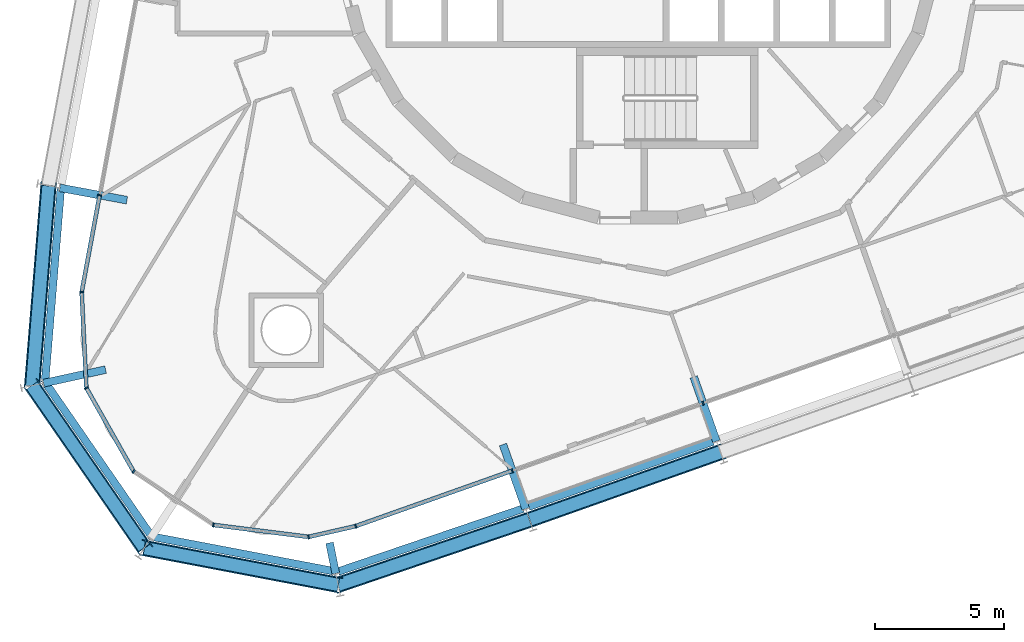
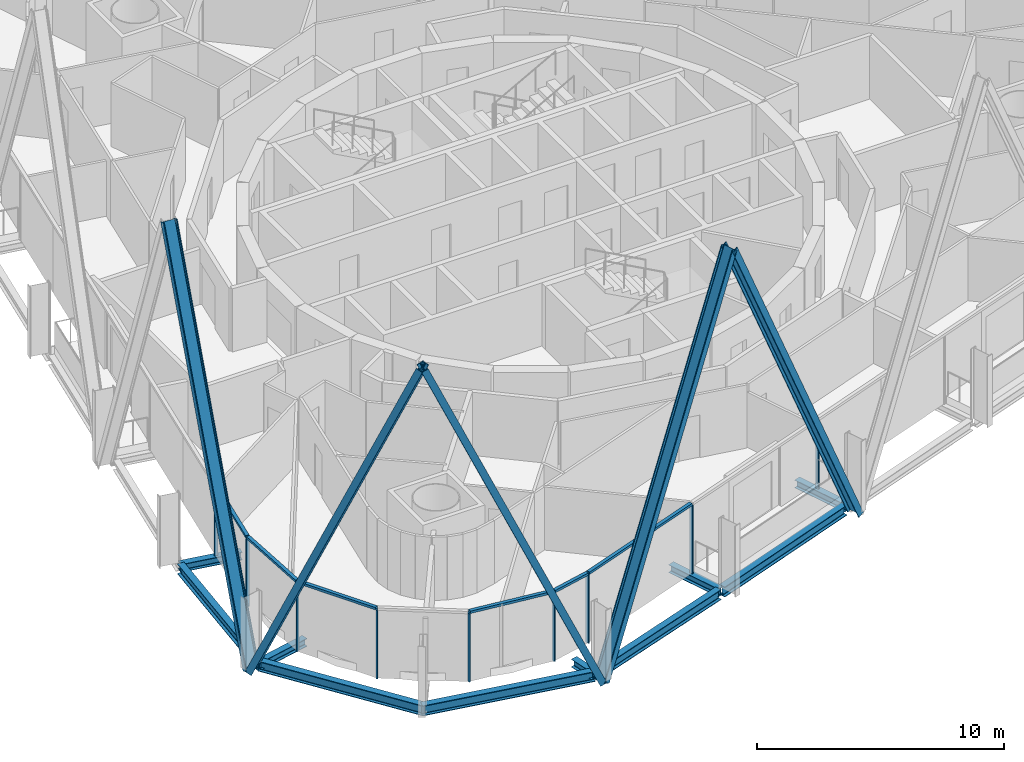
# One storey, part 2 of 17: 20 members, 10 beams, 2 elements without a shape of their own.
"""IFC4 building model written with IfcOpenShell, lengths in metres."""

import ifcopenshell
import ifcopenshell.guid

model = None  # the IFC model being written
_history = None  # IfcOwnerHistory: only IFC2X3 demands one
_inside = {}  # id of a spatial element -> (the spatial element, [elements in it])
_under = {}  # id of a project, library or spatial element -> (it, [spatial elements below it])
_declared = {}  # id of a project -> (the project, [libraries it declares])
_typed = {}  # id of a type object -> (the type object, [elements of that type])
_made_of = {}  # id of a material, layer set ... -> (it, [elements and type objects made of it])


def new_model(schema):
    """Start an empty IFC model of exactly this schema.

    Asked for "IFC4X3", IfcOpenShell would pick the latest addendum, in which some entities
    have other attributes; the version numbers below select the first issue.
    IFC2X3 requires an IfcOwnerHistory on every rooted entity: one is made here for all.
    """
    global model, _history
    if schema == "IFC4X3":
        model = ifcopenshell.file(schema_version=(4, 3, 0, 0))
    else:
        model = ifcopenshell.file(schema=schema)
    _inside.clear()
    _under.clear()
    _declared.clear()
    _typed.clear()
    _made_of.clear()
    _history = None
    if model.schema == "IFC2X3":
        org = make("IfcOrganization", Name="unknown")
        user = make(
            "IfcPersonAndOrganization",
            ThePerson=make("IfcPerson", FamilyName="unknown"),
            TheOrganization=org,
        )
        app = make(
            "IfcApplication",
            ApplicationDeveloper=org,
            Version="unknown",
            ApplicationFullName="unknown",
            ApplicationIdentifier="unknown",
        )
        _history = make(
            "IfcOwnerHistory",
            OwningUser=user,
            OwningApplication=app,
            ChangeAction="ADDED",
            CreationDate=0,
        )
    return model


def make(cls, **values):
    """One entity of the class cls with the attributes given. An attribute that is None is left unset."""
    return model.create_entity(
        cls, **{name: value for name, value in values.items() if value is not None}
    )


def rooted(cls, **values):
    """An entity with a GlobalId (a new one), such as an element, a storey or a relation."""
    return make(cls, GlobalId=ifcopenshell.guid.new(), OwnerHistory=_history, **values)


def si_unit(unit_type, name, prefix=None):
    """IfcSIUnit, for example si_unit("LENGTHUNIT", "METRE", prefix="MILLI")."""
    return make("IfcSIUnit", UnitType=unit_type, Prefix=prefix, Name=name)


def assignment(units):
    """IfcUnitAssignment: the units of a project."""
    return None if units is None else make("IfcUnitAssignment", Units=units)


def point(xyz):
    """IfcCartesianPoint."""
    return None if xyz is None else make("IfcCartesianPoint", Coordinates=xyz)


def direction(xyz):
    """IfcDirection."""
    return None if xyz is None else make("IfcDirection", DirectionRatios=xyz)


def frame(location, z_axis=None, x_axis=None):
    """IfcAxis2Placement3D, a coordinate frame: its origin and axes. An axis left out is left unset."""
    return make(
        "IfcAxis2Placement3D",
        Location=point(location),
        Axis=direction(z_axis),
        RefDirection=direction(x_axis),
    )


def frame_2d(location, x_axis=None):
    """IfcAxis2Placement2D, a coordinate frame in the plane: its origin and x axis."""
    return make(
        "IfcAxis2Placement2D", Location=point(location), RefDirection=direction(x_axis)
    )


def origin():
    """The frame at (0, 0, 0) with its axes left unset."""
    return frame((0.0, 0.0, 0.0))


def origin_2d():
    """The frame at (0, 0) in the plane with its x axis left unset."""
    return frame_2d((0.0, 0.0))


def place(relative_to, where):
    """IfcLocalPlacement: puts the frame where relative to a parent placement (None: the world)."""
    return make(
        "IfcLocalPlacement", PlacementRelTo=relative_to, RelativePlacement=where
    )


def context(
    kind, dimensions, precision=None, world=None, true_north=None, identifier=None
):
    """IfcGeometricRepresentationContext, for example the 3D "Model" context."""
    return make(
        "IfcGeometricRepresentationContext",
        ContextIdentifier=identifier,
        ContextType=kind,
        CoordinateSpaceDimension=dimensions,
        Precision=precision,
        WorldCoordinateSystem=world,
        TrueNorth=true_north,
    )


def subcontext(parent, identifier, kind, view, scale=None):
    """IfcGeometricRepresentationSubContext, for example "Body" below "Model"."""
    return make(
        "IfcGeometricRepresentationSubContext",
        ContextIdentifier=identifier,
        ContextType=kind,
        ParentContext=parent,
        TargetScale=scale,
        TargetView=view,
    )


def project(units=None, contexts=None):
    """IfcProject with its units and contexts."""
    return rooted(
        "IfcProject",
        Name="project",
        RepresentationContexts=contexts,
        UnitsInContext=assignment(units),
    )


def spatial(cls, under=None, at=None, **own):
    """A site, building, storey or space (cls), placed at a placement, below another one or the project."""
    s = rooted(cls, ObjectPlacement=at, **own)
    if under is not None:
        _under.setdefault(under.id(), (under, []))[1].append(s)
    return s


def profile(cls, at=None, kind="AREA", **sizes):
    """A parametric profile (cls). Its sizes go by their IFC names, for example OverallWidth=200.0."""
    return make(cls, ProfileType=kind, Position=at, **sizes)


def rectangle(**sizes):
    """IfcRectangleProfileDef."""
    return profile("IfcRectangleProfileDef", **sizes)


def i_section(**sizes):
    """IfcIShapeProfileDef."""
    return profile("IfcIShapeProfileDef", **sizes)


def extrude(swept, where, along, depth):
    """IfcExtrudedAreaSolid: the profile swept, set in the frame where, extruded along a direction by depth."""
    return make(
        "IfcExtrudedAreaSolid",
        SweptArea=swept,
        Position=where,
        ExtrudedDirection=direction(along),
        Depth=depth,
    )


def shape(context_of_items, identifier, shape_type, items):
    """IfcShapeRepresentation: the items that make up one representation, for example the "Body"."""
    return make(
        "IfcShapeRepresentation",
        ContextOfItems=context_of_items,
        RepresentationIdentifier=identifier,
        RepresentationType=shape_type,
        Items=items,
    )


def material(Name=None, Category=None):
    """IfcMaterial."""
    return make("IfcMaterial", Name=Name, Category=Category)


def layer(
    of_material, thickness, ventilated=None, Name=None, Category=None, Priority=None
):
    """IfcMaterialLayer: one layer of a wall or slab, of a material (None: an air gap)."""
    return make(
        "IfcMaterialLayer",
        Material=of_material,
        LayerThickness=thickness,
        IsVentilated=ventilated,
        Name=Name,
        Category=Category,
        Priority=Priority,
    )


def layer_set(layers, Name=None):
    """IfcMaterialLayerSet."""
    return make("IfcMaterialLayerSet", MaterialLayers=layers, LayerSetName=Name)


def material_profile(
    of_material, cross_section, Name=None, Category=None, Priority=None
):
    """IfcMaterialProfile: a cross section and its material."""
    return make(
        "IfcMaterialProfile",
        Name=Name,
        Material=of_material,
        Profile=cross_section,
        Priority=Priority,
        Category=Category,
    )


def profile_set(profiles, Name=None, composite=None):
    """IfcMaterialProfileSet."""
    return make(
        "IfcMaterialProfileSet",
        Name=Name,
        MaterialProfiles=profiles,
        CompositeProfile=composite,
    )


def made_of(thing, what):
    """Note that an element or type object is made of a material, layer set ...; save() writes the relation."""
    if what is not None:
        _made_of.setdefault(what.id(), (what, []))[1].append(thing)
    return thing


def type_object(cls, material=None, **own):
    """A type object (cls), such as IfcWallType, which elements share."""
    return made_of(rooted(cls, **own), material)


def element(
    cls,
    number,
    at=None,
    inside=None,
    cuts=None,
    type_object=None,
    material=None,
    context=None,
    identifier="Body",
    shape_type=None,
    held_by="IfcProductDefinitionShape",
    body=None,
    shapes=None,
    **own,
):
    """One element of the class cls, such as IfcWall. Its Tag is "e" and its number.

    at: its placement. inside: the storey or other place that contains it. cuts: it is an
    opening in that element (IfcRelVoidsElement). A single representation is given by context,
    identifier, shape_type and body (its items); several are given by shapes. held_by: the class
    of the entity that holds the representations. save() writes the other relations.
    """
    e = rooted(cls, Tag="e%d" % number, ObjectPlacement=at, **own)
    if body is not None:
        shapes = [shape(context, identifier, shape_type, body)]
    if shapes is not None:
        e.Representation = make(held_by, Representations=shapes)
    if inside is not None:
        _inside.setdefault(inside.id(), (inside, []))[1].append(e)
    if cuts is not None:
        rooted(
            "IfcRelVoidsElement", RelatingBuildingElement=cuts, RelatedOpeningElement=e
        )
    if type_object is not None:
        _typed.setdefault(type_object.id(), (type_object, []))[1].append(e)
    return made_of(e, material)


def aggregate(whole, parts):
    """IfcRelAggregates: a whole, such as a stair, and the parts it consists of."""
    return rooted("IfcRelAggregates", RelatingObject=whole, RelatedObjects=parts)


def save(model, path):
    """Write the relations noted so far, then the file.

    IfcRelAggregates (storeys below a building ...), IfcRelContainedInSpatialStructure (elements
    in a storey), IfcRelDefinesByType, IfcRelAssociatesMaterial and IfcRelDeclares: one each for
    every whole, place, type object, material and project.
    """
    for whole, parts in _under.values():
        aggregate(whole, parts)
    for where, things in _inside.values():
        rooted(
            "IfcRelContainedInSpatialStructure",
            RelatedElements=things,
            RelatingStructure=where,
        )
    for kind, things in _typed.values():
        rooted("IfcRelDefinesByType", RelatedObjects=things, RelatingType=kind)
    for what, things in _made_of.values():
        rooted("IfcRelAssociatesMaterial", RelatedObjects=things, RelatingMaterial=what)
    for by, libraries in _declared.values():
        rooted("IfcRelDeclares", RelatingContext=by, RelatedDefinitions=libraries)
    model.write(path)


model = new_model("IFC4")

# Units and contexts
model_context = context("Model", 3, precision=1e-05, world=origin(), true_north=direction((0.0, 1.0)))
body_context = subcontext(model_context, "Body", "Model", "MODEL_VIEW")
ifc_project = project(units=[si_unit("LENGTHUNIT", "METRE"), si_unit("AREAUNIT", "SQUARE_METRE"), si_unit("VOLUMEUNIT", "CUBIC_METRE"), si_unit("PLANEANGLEUNIT", "RADIAN"), si_unit("MASSUNIT", "GRAM", prefix="KILO")], contexts=[model_context])

# Site, building, storey
site_placement = place(None, origin())
site = spatial("IfcSite", under=ifc_project, at=site_placement, CompositionType="ELEMENT")
building_placement = place(site_placement, origin())
building = spatial("IfcBuilding", under=site, at=building_placement, Name="Spindle Arch Residences", CompositionType="ELEMENT")
storey_placement = place(building_placement, frame((0.0, 0.0, 165.699951171875)))
storey = spatial("IfcBuildingStorey", under=building, at=storey_placement, Name="L41", CompositionType="ELEMENT", Elevation=165.699951171875)

# Curtain wall, members
ifc_material_1 = material(Name="Aluminium bronze unitised frame with tinted glass", Category="aluminium")
ifc_layer_1 = layer(ifc_material_1, 0.159912109375)
ifc_layer_set_1 = layer_set([ifc_layer_1], Name="CW-D corner wall on the fillet arcs")
curtain_wall_type_1 = type_object("IfcCurtainWallType", Name="CW-D corner wall on the fillet arcs", PredefinedType="NOTDEFINED", material=ifc_layer_set_1)
curtain_wall_1_placement = place(storey_placement, origin())
curtain_wall_1 = element("IfcCurtainWall", 1, at=curtain_wall_1_placement, inside=storey, type_object=curtain_wall_type_1, Name="CW-D L41 run 5", PredefinedType="NOTDEFINED")
ifc_material_2 = material(Name="Aluminium bronze anodised mullion", Category="aluminium")
ifc_material_profile_1 = material_profile(ifc_material_2, rectangle(XDim=0.159912109375, YDim=0.06005859375, at=origin_2d()), Name="MU 60x160")
ifc_profile_set_1 = profile_set([ifc_material_profile_1], Name="Aluminium bronze anodised mullion")
member_type_1 = type_object("IfcMemberType", Name="Bronze mullion 60x160", PredefinedType="MULLION", material=ifc_profile_set_1)
member_1_placement = place(storey_placement, frame((-20.92724609375, -10.77685546875, -0.3798828125), z_axis=(0.0, 0.0, 1.0), x_axis=(0.983254907564, -0.182235525492, 0.0)))
member_1 = element("IfcMember", 2, at=member_1_placement, type_object=member_type_1, Name="CW-D mullion 00", PredefinedType="MULLION", context=body_context, shape_type="SweptSolid", body=[
    extrude(rectangle(XDim=0.159912109375, YDim=0.06005859375, at=origin_2d()), origin(), (0.0, 0.0, 1.0), 3.3798828125),
])
member_2_placement = place(storey_placement, frame((-21.6259765625, -14.546142578125, -0.3798828125), z_axis=(0.0, 0.0, 1.0), x_axis=(0.99877754864, 0.049430843939, 0.0)))
member_2 = element("IfcMember", 3, at=member_2_placement, type_object=member_type_1, Name="CW-D mullion 01", PredefinedType="MULLION", context=body_context, shape_type="SweptSolid", body=[
    extrude(rectangle(XDim=0.159912109375, YDim=0.06005859375, at=origin_2d()), origin(), (0.0, 0.0, 1.0), 3.3798828125),
])
member_3_placement = place(storey_placement, frame((-21.441650390625, -18.268310546875, -0.3798828125), z_axis=(0.0, 0.0, 1.0), x_axis=(0.870355694762, 0.492423562185, 0.0)))
member_3 = element("IfcMember", 4, at=member_3_placement, type_object=member_type_1, Name="CW-D mullion 02", PredefinedType="MULLION", context=body_context, shape_type="SweptSolid", body=[
    extrude(rectangle(XDim=0.159912109375, YDim=0.06005859375, at=origin_2d()), origin(), (0.0, 0.0, 1.0), 3.3798828125),
])
member_4_placement = place(storey_placement, frame((-19.6064453125, -21.511962890625, -0.3798828125), z_axis=(0.0, 0.0, 1.0), x_axis=(0.556778968928, 0.830660688705, 0.0)))
member_4 = element("IfcMember", 5, at=member_4_placement, type_object=member_type_1, Name="CW-D mullion 03", PredefinedType="MULLION", context=body_context, shape_type="SweptSolid", body=[
    extrude(rectangle(XDim=0.159912109375, YDim=0.06005859375, at=origin_2d()), origin(), (0.0, 0.0, 1.0), 3.3798828125),
])
member_5_placement = place(storey_placement, frame((-16.510986328125, -23.5869140625, -0.3798828125), z_axis=(0.0, 0.0, 1.0), x_axis=(0.12475602349, 0.992187449327, 0.0)))
member_5 = element("IfcMember", 6, at=member_5_placement, type_object=member_type_1, Name="CW-D mullion 04", PredefinedType="MULLION", context=body_context, shape_type="SweptSolid", body=[
    extrude(rectangle(XDim=0.159912109375, YDim=0.06005859375, at=origin_2d()), origin(), (0.0, 0.0, 1.0), 3.3798828125),
])
member_6_placement = place(storey_placement, frame((-12.813232421875, -24.0517578125, -0.3798828125), z_axis=(0.0, 0.0, 1.0), x_axis=(-0.222115779565, 0.975020297465, 0.0)))
member_6 = element("IfcMember", 7, at=member_6_placement, type_object=member_type_1, Name="CW-D mullion 05", PredefinedType="MULLION", context=body_context, shape_type="SweptSolid", body=[
    extrude(rectangle(XDim=0.159912109375, YDim=0.06005859375, at=origin_2d()), origin(), (0.0, 0.0, 1.0), 3.3798828125),
])
member_7_placement = place(storey_placement, frame((-10.984130859375, -23.63525390625, -0.3798828125), z_axis=(0.0, 0.0, 1.0), x_axis=(-0.333806859234, 0.942641491092, 0.0)))
member_7 = element("IfcMember", 8, at=member_7_placement, type_object=member_type_1, Name="CW-D mullion 06", PredefinedType="MULLION", context=body_context, shape_type="SweptSolid", body=[
    extrude(rectangle(XDim=0.159912109375, YDim=0.06005859375, at=origin_2d()), origin(), (0.0, 0.0, 1.0), 3.3798828125),
])

ifc_material_3 = material(Name="Aluminium bronze unitised frame with tinted glass", Category="aluminium")
ifc_layer_2 = layer(ifc_material_3, 0.159912109375)
ifc_layer_set_2 = layer_set([ifc_layer_2], Name="CW-C typical residential unitised wall")
curtain_wall_type_2 = type_object("IfcCurtainWallType", Name="CW-C typical residential unitised wall", PredefinedType="NOTDEFINED", material=ifc_layer_set_2)
curtain_wall_2_placement = place(storey_placement, origin())
curtain_wall_2 = element("IfcCurtainWall", 9, at=curtain_wall_2_placement, inside=storey, type_object=curtain_wall_type_2, Name="CW-C L41 run 6", PredefinedType="NOTDEFINED")
member_8_placement = place(storey_placement, frame((-4.900634765625, -21.48095703125, -0.3798828125), z_axis=(0.0, 0.0, 1.0), x_axis=(-0.333806859234, 0.942641491092, 0.0)))
member_8 = element("IfcMember", 10, at=member_8_placement, type_object=member_type_1, Name="CW-C mullion 20", PredefinedType="MULLION", context=body_context, shape_type="SweptSolid", body=[
    extrude(rectangle(XDim=0.159912109375, YDim=0.06005859375, at=origin_2d()), origin(), (0.0, 0.0, 1.0), 3.3798828125),
])
member_9_placement = place(storey_placement, frame((2.508544921875, -18.857177734375, -0.3798828125), z_axis=(0.0, 0.0, 1.0), x_axis=(-0.333806859234, 0.942641491092, 0.0)))
member_9 = element("IfcMember", 11, at=member_9_placement, type_object=member_type_1, Name="CW-C mullion 21", PredefinedType="MULLION", context=body_context, shape_type="SweptSolid", body=[
    extrude(rectangle(XDim=0.159912109375, YDim=0.06005859375, at=origin_2d()), origin(), (0.0, 0.0, 1.0), 3.3798828125),
])
aggregate(curtain_wall_2, [member_8, member_9])

# Member
ifc_material_4 = material(Name="Aluminium bronze anodised transom", Category="aluminium")
ifc_material_profile_2 = material_profile(ifc_material_4, rectangle(XDim=0.159912109375, YDim=0.1201171875, at=origin_2d()), Name="TR 120x160")
ifc_profile_set_2 = profile_set([ifc_material_profile_2], Name="Aluminium bronze anodised transom")
member_type_2 = type_object("IfcMemberType", Name="Bronze transom 120x160", PredefinedType="USERDEFINED", material=ifc_profile_set_2)
member_10_placement = place(storey_placement, frame((-20.932861328125, -10.806396484375, 3.06005859375), z_axis=(-0.182198152475, -0.983261833509, 0.0), x_axis=(0.983261833509, -0.182198152475, 0.0)))
member_10 = element("IfcMember", 12, at=member_10_placement, type_object=member_type_2, Name="CW-D transom 00", ObjectType="TRANSOM", PredefinedType="USERDEFINED", context=body_context, shape_type="SweptSolid", body=[
    extrude(rectangle(XDim=0.159912109375, YDim=0.1201171875, at=origin_2d()), origin(), (0.0, 0.0, 1.0), 3.7734375),
])

member_11_placement = place(storey_placement, frame((-21.62451171875, -14.576171875, 3.06005859375), z_axis=(0.049472678643, -0.998775477306, 0.0), x_axis=(0.998775477306, 0.049472678643, 0.0)))
member_11 = element("IfcMember", 13, at=member_11_placement, type_object=member_type_2, Name="CW-D transom 01", ObjectType="TRANSOM", PredefinedType="USERDEFINED", context=body_context, shape_type="SweptSolid", body=[
    extrude(rectangle(XDim=0.159912109375, YDim=0.1201171875, at=origin_2d()), origin(), (0.0, 0.0, 1.0), 3.66650390625),
])

member_12_placement = place(storey_placement, frame((-21.427001953125, -18.29443359375, 3.06005859375), z_axis=(0.49243456751, -0.870349468157, 0.0), x_axis=(0.870349468157, 0.49243456751, 0.0)))
member_12 = element("IfcMember", 14, at=member_12_placement, type_object=member_type_2, Name="CW-D transom 02", ObjectType="TRANSOM", PredefinedType="USERDEFINED", context=body_context, shape_type="SweptSolid", body=[
    extrude(rectangle(XDim=0.159912109375, YDim=0.1201171875, at=origin_2d()), origin(), (0.0, 0.0, 1.0), 3.666748046875),
])

member_13_placement = place(storey_placement, frame((-16.481201171875, -23.590576171875, 3.06005859375), z_axis=(0.992185413992, -0.12477220949, 0.0), x_axis=(0.12477220949, 0.992185413992, 0.0)))
member_13 = element("IfcMember", 15, at=member_13_placement, type_object=member_type_2, Name="CW-D transom 04", ObjectType="TRANSOM", PredefinedType="USERDEFINED", context=body_context, shape_type="SweptSolid", body=[
    extrude(rectangle(XDim=0.159912109375, YDim=0.1201171875, at=origin_2d()), origin(), (0.0, 0.0, 1.0), 3.666748046875),
])

member_14_placement = place(storey_placement, frame((-12.783935546875, -24.045166015625, 3.06005859375), z_axis=(0.975028425033, 0.222080099015, 0.0), x_axis=(-0.222080099015, 0.975028425033, 0.0)))
member_14 = element("IfcMember", 16, at=member_14_placement, type_object=member_type_2, Name="CW-D transom 05", ObjectType="TRANSOM", PredefinedType="USERDEFINED", context=body_context, shape_type="SweptSolid", body=[
    extrude(rectangle(XDim=0.159912109375, YDim=0.1201171875, at=origin_2d()), origin(), (0.0, 0.0, 1.0), 1.816162109375),
])

member_15_placement = place(storey_placement, frame((-10.955810546875, -23.625244140625, 3.06005859375), z_axis=(0.942638740525, 0.333814626495, 0.0), x_axis=(-0.333814626495, 0.942638740525, 0.0)))
member_15 = element("IfcMember", 17, at=member_15_placement, type_object=member_type_2, Name="CW-D transom 06", ObjectType="TRANSOM", PredefinedType="USERDEFINED", context=body_context, shape_type="SweptSolid", body=[
    extrude(rectangle(XDim=0.159912109375, YDim=0.1201171875, at=origin_2d()), origin(), (0.0, 0.0, 1.0), 6.3935546875),
])

aggregate(curtain_wall_1, [member_1, member_10, member_2, member_11, member_3, member_12, member_4, member_5, member_13, member_6, member_14, member_7, member_15])

# Members
ifc_material_5 = material(Name="Steel S460ML, intumescent coating R 240", Category="steel")
ifc_material_profile_3 = material_profile(ifc_material_5, i_section(OverallWidth=0.304931640625, OverallDepth=0.6201171875, WebThickness=0.02099609375, FlangeThickness=0.0400390625, FilletRadius=0.027099609375, at=origin_2d()), Name="HEM 600")
ifc_profile_set_3 = profile_set([ifc_material_profile_3], Name="Steel S460ML, intumescent coating R 240")
member_type_3 = type_object("IfcMemberType", Name="Diagrid diagonal HEM 600", PredefinedType="BRACE", material=ifc_profile_set_3)
member_16_placement = place(storey_placement, frame((-23.5478515625, -18.177490234375, -0.6298828125), z_axis=(0.033470689003, 0.409957965656, 0.911490087369), x_axis=(-0.074171083175, -0.908467297041, 0.411322040046)))
element("IfcMember", 18, at=member_16_placement, inside=storey, type_object=member_type_3, Name="Diagrid diagonal 4.2.17", PredefinedType="BRACE", context=body_context, shape_type="SweptSolid", body=[
    extrude(i_section(OverallWidth=0.304931640625, OverallDepth=0.6201171875, WebThickness=0.02099609375, FlangeThickness=0.0400390625, FilletRadius=0.027099609375, at=origin_2d()), origin(), (0.0, 0.0, 1.0), 18.9501953125),
])
member_17_placement = place(storey_placement, frame((-23.5478515625, -18.177490234375, -0.6298828125), z_axis=(0.230502220398, -0.3336668541, 0.914076122031), x_axis=(-0.519542332612, 0.752071088057, 0.405542652668)))
element("IfcMember", 19, at=member_17_placement, inside=storey, type_object=member_type_3, Name="Diagrid diagonal 4.2.18", PredefinedType="BRACE", context=body_context, shape_type="SweptSolid", body=[
    extrude(i_section(OverallWidth=0.304931640625, OverallDepth=0.6201171875, WebThickness=0.02099609375, FlangeThickness=0.0400390625, FilletRadius=0.027099609375, at=origin_2d()), origin(), (0.0, 0.0, 1.0), 18.896728515625),
])
member_18_placement = place(storey_placement, frame((-11.6640625, -25.9150390625, -0.6298828125), z_axis=(-0.398384300907, 0.075800898117, 0.914081053646), x_axis=(0.897970955292, -0.170857648604, 0.405531536831)))
element("IfcMember", 20, at=member_18_placement, inside=storey, type_object=member_type_3, Name="Diagrid diagonal 4.2.19", PredefinedType="BRACE", context=body_context, shape_type="SweptSolid", body=[
    extrude(i_section(OverallWidth=0.304931640625, OverallDepth=0.6201171875, WebThickness=0.02099609375, FlangeThickness=0.0400390625, FilletRadius=0.027099609375, at=origin_2d()), origin(), (0.0, 0.0, 1.0), 18.896484375),
])
member_19_placement = place(storey_placement, frame((-11.6640625, -25.9150390625, -0.6298828125), z_axis=(0.391962239764, 0.133330204847, 0.910268454399), x_axis=(-0.861775110701, -0.293142145813, 0.414018527273)))
element("IfcMember", 21, at=member_19_placement, inside=storey, type_object=member_type_3, Name="Diagrid diagonal 4.2.20", PredefinedType="BRACE", context=body_context, shape_type="SweptSolid", body=[
    extrude(i_section(OverallWidth=0.304931640625, OverallDepth=0.6201171875, WebThickness=0.02099609375, FlangeThickness=0.0400390625, FilletRadius=0.027099609375, at=origin_2d()), origin(), (0.0, 0.0, 1.0), 18.9755859375),
])
member_20_placement = place(storey_placement, frame((3.182861328125, -20.76123046875, -0.6298828125), z_axis=(-0.390424893575, -0.138259401979, 0.910193792685), x_axis=(0.857984569665, 0.30383419567, 0.41418264058)))
element("IfcMember", 22, at=member_20_placement, inside=storey, type_object=member_type_3, Name="Diagrid diagonal 4.2.21", PredefinedType="BRACE", context=body_context, shape_type="SweptSolid", body=[
    extrude(i_section(OverallWidth=0.304931640625, OverallDepth=0.6201171875, WebThickness=0.02099609375, FlangeThickness=0.0400390625, FilletRadius=0.027099609375, at=origin_2d()), origin(), (0.0, 0.0, 1.0), 18.977294921875),
])

# Beams
ifc_material_6 = material(Name="Steel S460ML, intumescent coating R 120", Category="steel")
ifc_material_profile_4 = material_profile(ifc_material_6, i_section(OverallWidth=0.300048828125, OverallDepth=0.5, WebThickness=0.014404296875, FlangeThickness=0.028076171875, FilletRadius=0.027099609375, at=origin_2d()), Name="HEB 500")
ifc_profile_set_4 = profile_set([ifc_material_profile_4], Name="Steel S460ML, intumescent coating R 120")
beam_type_1 = type_object("IfcBeamType", Name="Exoskeleton edge beam HEB 500", PredefinedType="BEAM", material=ifc_profile_set_4)
beam_1_placement = place(storey_placement, frame((-22.43408203125, -10.530517578125, -0.6298828125), z_axis=(-0.081396168561, -0.996681826735, 0.0), x_axis=(0.996681826735, -0.081396168561, 0.0)))
element("IfcBeam", 23, at=beam_1_placement, inside=storey, type_object=beam_type_1, Name="Exoskeleton edge beam 17", PredefinedType="BEAM", context=body_context, shape_type="SweptSolid", body=[
    extrude(i_section(OverallWidth=0.300048828125, OverallDepth=0.5, WebThickness=0.014404296875, FlangeThickness=0.028076171875, FilletRadius=0.027099609375, at=origin_2d()), origin(), (0.0, 0.0, 1.0), 7.534423828125),
])
for number, where, z_axis, x_axis, name in (
    (24, (-23.07080078125, -18.006103515625, -0.6298828125), (0.568398589538, -0.822753330842, 0.0), (0.822753330842, 0.568398589538, 0.0), "Exoskeleton edge beam 18"),
    (25, (-18.972900390625, -24.025390625, -0.6298828125), (0.982369437961, -0.186949959509, 0.0), (0.186949959509, 0.982369437961, 0.0), "Exoskeleton edge beam 19"),
):
    element("IfcBeam", number, at=place(storey_placement, frame(where, z_axis=z_axis, x_axis=x_axis)), inside=storey, type_object=beam_type_1, Name=name, PredefinedType="BEAM", context=body_context, shape_type="SweptSolid", body=[
        extrude(i_section(OverallWidth=0.300048828125, OverallDepth=0.5, WebThickness=0.014404296875, FlangeThickness=0.028076171875, FilletRadius=0.027099609375, at=origin_2d()), origin(), (0.0, 0.0, 1.0), 7.4033203125),
    ])
beam_2_placement = place(storey_placement, frame((-11.672119140625, -25.401123046875, -0.6298828125), z_axis=(0.94672748231, 0.322035827571, 0.0), x_axis=(-0.322035827571, 0.94672748231, 0.0)))
element("IfcBeam", 26, at=beam_2_placement, inside=storey, type_object=beam_type_1, Name="Exoskeleton edge beam 20", PredefinedType="BEAM", context=body_context, shape_type="SweptSolid", body=[
    extrude(i_section(OverallWidth=0.300048828125, OverallDepth=0.5, WebThickness=0.014404296875, FlangeThickness=0.028076171875, FilletRadius=0.027099609375, at=origin_2d()), origin(), (0.0, 0.0, 1.0), 7.596435546875),
])
beam_3_placement = place(storey_placement, frame((-4.267333984375, -22.8798828125, -0.6298828125), z_axis=(0.942633964352, 0.33382811333, 0.0), x_axis=(-0.33382811333, 0.942633964352, 0.0)))
element("IfcBeam", 27, at=beam_3_placement, inside=storey, type_object=beam_type_1, Name="Exoskeleton edge beam 21", PredefinedType="BEAM", context=body_context, shape_type="SweptSolid", body=[
    extrude(i_section(OverallWidth=0.300048828125, OverallDepth=0.5, WebThickness=0.014404296875, FlangeThickness=0.028076171875, FilletRadius=0.027099609375, at=origin_2d()), origin(), (0.0, 0.0, 1.0), 7.60009765625),
])
ifc_material_7 = material(Name="Steel S460ML, intumescent coating R 120", Category="steel")
ifc_material_profile_5 = material_profile(ifc_material_7, i_section(OverallWidth=0.300048828125, OverallDepth=0.389892578125, WebThickness=0.010986328125, FlangeThickness=0.01904296875, FilletRadius=0.027099609375, at=origin_2d()), Name="HEA 400")
ifc_profile_set_5 = profile_set([ifc_material_profile_5], Name="Steel S460ML, intumescent coating R 120")
beam_type_2 = type_object("IfcBeamType", Name="Floor outrigger HEA 400", PredefinedType="BEAM", material=ifc_profile_set_5)
beam_4_placement = place(storey_placement, frame((-22.470947265625, -10.49072265625, -0.574951171875), z_axis=(0.983253888741, -0.182241022482, 0.0), x_axis=(0.182241022482, 0.983253888741, 0.0)))
element("IfcBeam", 28, at=beam_4_placement, inside=storey, type_object=beam_type_2, Name="Floor outrigger 17", PredefinedType="BEAM", context=body_context, shape_type="SweptSolid", body=[
    extrude(i_section(OverallWidth=0.300048828125, OverallDepth=0.389892578125, WebThickness=0.010986328125, FlangeThickness=0.01904296875, FilletRadius=0.027099609375, at=origin_2d()), origin(), (0.0, 0.0, 1.0), 2.64990234375),
])
beam_5_placement = place(storey_placement, frame((-23.108154296875, -18.081298828125, -0.574951171875), z_axis=(0.976889051541, 0.21374700227, 0.0), x_axis=(-0.21374700227, 0.976889051541, 0.0)))
element("IfcBeam", 29, at=beam_5_placement, inside=storey, type_object=beam_type_2, Name="Floor outrigger 18", PredefinedType="BEAM", context=body_context, shape_type="SweptSolid", body=[
    extrude(i_section(OverallWidth=0.300048828125, OverallDepth=0.389892578125, WebThickness=0.010986328125, FlangeThickness=0.01904296875, FilletRadius=0.027099609375, at=origin_2d()), origin(), (0.0, 0.0, 1.0), 2.469482421875),
])
beam_6_placement = place(storey_placement, frame((-11.75390625, -25.47412109375, -0.574951171875), z_axis=(-0.199668771983, 0.979863450433, 0.0), x_axis=(-0.979863450433, -0.199668771983, 0.0)))
element("IfcBeam", 30, at=beam_6_placement, inside=storey, type_object=beam_type_2, Name="Floor outrigger 20", PredefinedType="BEAM", context=body_context, shape_type="SweptSolid", body=[
    extrude(i_section(OverallWidth=0.300048828125, OverallDepth=0.389892578125, WebThickness=0.010986328125, FlangeThickness=0.01904296875, FilletRadius=0.027099609375, at=origin_2d()), origin(), (0.0, 0.0, 1.0), 1.21533203125),
])
beam_7_placement = place(storey_placement, frame((-4.376708984375, -22.9609375, -0.574951171875), z_axis=(-0.333778924893, 0.942651382695, 0.0), x_axis=(-0.942651382695, -0.333778924893, 0.0)))
element("IfcBeam", 31, at=beam_7_placement, inside=storey, type_object=beam_type_2, Name="Floor outrigger 21", PredefinedType="BEAM", context=body_context, shape_type="SweptSolid", body=[
    extrude(i_section(OverallWidth=0.300048828125, OverallDepth=0.389892578125, WebThickness=0.010986328125, FlangeThickness=0.01904296875, FilletRadius=0.027099609375, at=origin_2d()), origin(), (0.0, 0.0, 1.0), 2.64990234375),
])
beam_8_placement = place(storey_placement, frame((3.03271484375, -20.337158203125, -0.574951171875), z_axis=(-0.333860785086, 0.942622393211, 0.0), x_axis=(-0.942622393211, -0.333860785086, 0.0)))
element("IfcBeam", 32, at=beam_8_placement, inside=storey, type_object=beam_type_2, Name="Floor outrigger 22", PredefinedType="BEAM", context=body_context, shape_type="SweptSolid", body=[
    extrude(i_section(OverallWidth=0.300048828125, OverallDepth=0.389892578125, WebThickness=0.010986328125, FlangeThickness=0.01904296875, FilletRadius=0.027099609375, at=origin_2d()), origin(), (0.0, 0.0, 1.0), 2.650146484375),
])

save(model, "model.ifc")
